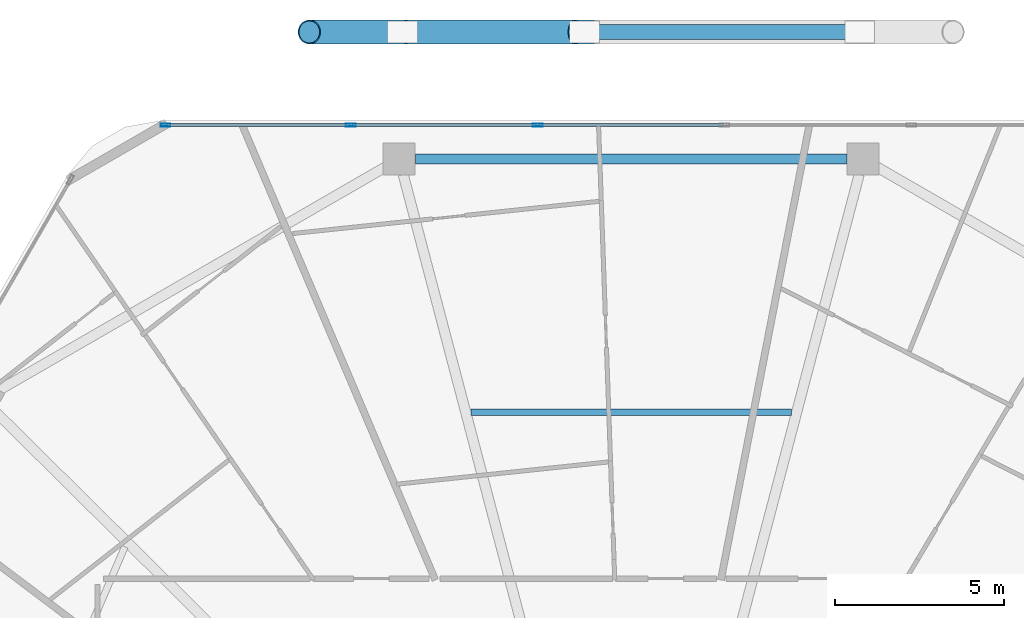
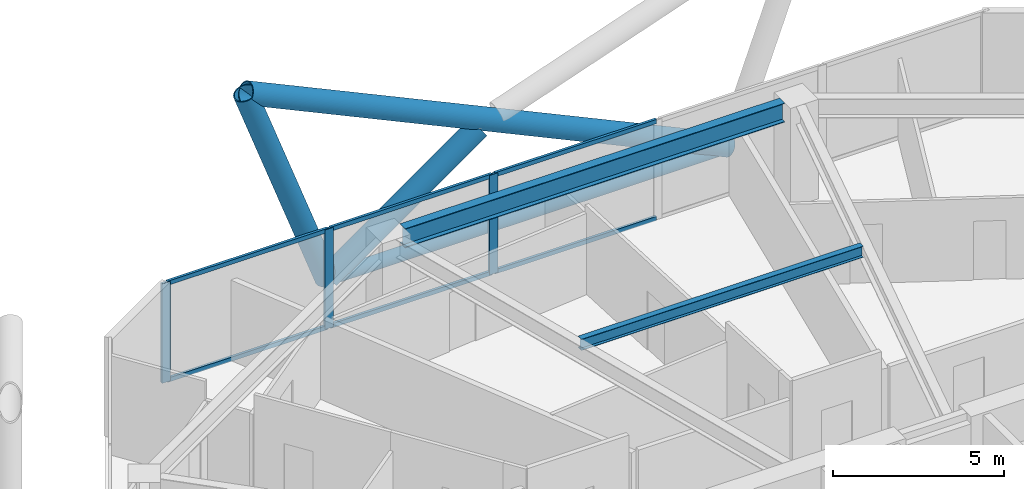
# One storey, part 14 of 27: 13 members, 2 beams, 1 element without a shape of its own.
"""IFC4 building model written with IfcOpenShell, lengths in metres."""

from ifc_helpers import new_model, si_unit, direction, frame, origin, origin_2d, place, context, subcontext, project, spatial, hollow_rectangle, hollow_circle, i_section, extrude, material, material_profile, profile_set, type_object, element, aggregate, save


model = new_model("IFC4")

# Units and contexts
model_context = context("Model", 3, precision=1e-05, world=origin(), true_north=direction((0.0, 1.0)))
body_context = subcontext(model_context, "Body", "Model", "MODEL_VIEW")
ifc_project = project(units=[si_unit("LENGTHUNIT", "METRE"), si_unit("AREAUNIT", "SQUARE_METRE"), si_unit("VOLUMEUNIT", "CUBIC_METRE"), si_unit("PLANEANGLEUNIT", "RADIAN"), si_unit("MASSUNIT", "GRAM", prefix="KILO")], contexts=[model_context])

# Site, building, storey
site_placement = place(None, origin())
site = spatial("IfcSite", under=ifc_project, at=site_placement, CompositionType="ELEMENT")
building_placement = place(site_placement, origin())
building = spatial("IfcBuilding", under=site, at=building_placement, Name="Zuhravey Tower", CompositionType="ELEMENT")
storey_placement = place(building_placement, frame((0.0, 0.0, 215.0)))
storey = spatial("IfcBuildingStorey", under=building, at=storey_placement, Name="L54", CompositionType="ELEMENT", Elevation=215.0)

# Curtain wall, members
ifc_material_1 = material(Name="Thermally broken anodised aluminium", Category="aluminium")
curtain_wall_type = type_object("IfcCurtainWallType", Name="Zone 1-2 Residential Curtain Wall CW3", PredefinedType="NOTDEFINED", material=ifc_material_1)
curtain_wall_placement = place(storey_placement, origin())
curtain_wall = element("IfcCurtainWall", 1, at=curtain_wall_placement, inside=storey, type_object=curtain_wall_type, Name="L54 CW3 CW-L54-F2-1", PredefinedType="NOTDEFINED")
ifc_material_2 = material(Name="Anodised aluminium", Category="aluminium")
ifc_material_profile_1 = material_profile(ifc_material_2, hollow_rectangle(XDim=0.090087890625, YDim=0.284912109375, WallThickness=0.0048828125, at=origin_2d()), Name="ALU-RHS-90x285x5")
ifc_profile_set_1 = profile_set([ifc_material_profile_1], Name="Anodised aluminium")
member_type_1 = type_object("IfcMemberType", Name="Curtain-Wall Mullion 90x180", PredefinedType="MULLION", material=ifc_profile_set_1)
member_1_placement = place(storey_placement, frame((22.183837890625, 59.18310546875, 0.0), z_axis=(0.0, 0.0, 1.0), x_axis=(0.0, 1.0, 0.0)))
member_1 = element("IfcMember", 2, at=member_1_placement, type_object=member_type_1, Name="CW3 mullion 1", PredefinedType="MULLION", context=body_context, shape_type="SweptSolid", body=[
    extrude(hollow_rectangle(XDim=0.090087890625, YDim=0.284912109375, WallThickness=0.0048828125, at=origin_2d()), origin(), (0.0, 0.0, 1.0), 3.550048828125),
])
member_2_placement = place(storey_placement, frame((27.683349609375, 59.18310546875, 0.0), z_axis=(0.0, 0.0, 1.0), x_axis=(0.0, 1.0, 0.0)))
member_2 = element("IfcMember", 3, at=member_2_placement, type_object=member_type_1, Name="CW3 mullion 2", PredefinedType="MULLION", context=body_context, shape_type="SweptSolid", body=[
    extrude(hollow_rectangle(XDim=0.090087890625, YDim=0.284912109375, WallThickness=0.0048828125, at=origin_2d()), origin(), (0.0, 0.0, 1.0), 3.550048828125),
])
member_3_placement = place(storey_placement, frame((33.227783203125, 59.18310546875, 0.0), z_axis=(0.0, 0.0, 1.0), x_axis=(0.0, 1.0, 0.0)))
member_3 = element("IfcMember", 4, at=member_3_placement, type_object=member_type_1, Name="CW3 mullion 3", PredefinedType="MULLION", context=body_context, shape_type="SweptSolid", body=[
    extrude(hollow_rectangle(XDim=0.090087890625, YDim=0.284912109375, WallThickness=0.0048828125, at=origin_2d()), origin(), (0.0, 0.0, 1.0), 3.550048828125),
])
ifc_material_profile_2 = material_profile(ifc_material_2, hollow_rectangle(XDim=0.090087890625, YDim=0.14990234375, WallThickness=0.0048828125, at=origin_2d()), Name="ALU-RHS-90x150x5")
ifc_profile_set_2 = profile_set([ifc_material_profile_2], Name="Anodised aluminium")
member_type_2 = type_object("IfcMemberType", Name="Curtain-Wall Transom 90x150", PredefinedType="USERDEFINED", material=ifc_profile_set_2)
member_4_placement = place(storey_placement, frame((22.22900390625, 59.18310546875, 0.044921875), z_axis=(1.0, 0.0, 0.0), x_axis=(0.0, 1.0, 0.0)))
member_4 = element("IfcMember", 5, at=member_4_placement, type_object=member_type_2, Name="CW3 transom 1.1", ObjectType="TRANSOM", PredefinedType="USERDEFINED", context=body_context, shape_type="SweptSolid", body=[
    extrude(hollow_rectangle(XDim=0.090087890625, YDim=0.14990234375, WallThickness=0.0048828125, at=origin_2d()), origin(), (0.0, 0.0, 1.0), 5.409423828125),
])
member_5_placement = place(storey_placement, frame((22.22900390625, 59.18310546875, 3.5048828125), z_axis=(1.0, 0.0, 0.0), x_axis=(0.0, 1.0, 0.0)))
member_5 = element("IfcMember", 6, at=member_5_placement, type_object=member_type_2, Name="CW3 transom 1.2", ObjectType="TRANSOM", PredefinedType="USERDEFINED", context=body_context, shape_type="SweptSolid", body=[
    extrude(hollow_rectangle(XDim=0.090087890625, YDim=0.14990234375, WallThickness=0.0048828125, at=origin_2d()), origin(), (0.0, 0.0, 1.0), 5.409423828125),
])
member_6_placement = place(storey_placement, frame((27.728271484375, 59.18310546875, 0.044921875), z_axis=(1.0, 0.0, 0.0), x_axis=(0.0, 1.0, 0.0)))
member_6 = element("IfcMember", 7, at=member_6_placement, type_object=member_type_2, Name="CW3 transom 2.1", ObjectType="TRANSOM", PredefinedType="USERDEFINED", context=body_context, shape_type="SweptSolid", body=[
    extrude(hollow_rectangle(XDim=0.090087890625, YDim=0.14990234375, WallThickness=0.0048828125, at=origin_2d()), origin(), (0.0, 0.0, 1.0), 5.45458984375),
])
member_7_placement = place(storey_placement, frame((27.728271484375, 59.18310546875, 3.5048828125), z_axis=(1.0, 0.0, 0.0), x_axis=(0.0, 1.0, 0.0)))
member_7 = element("IfcMember", 8, at=member_7_placement, type_object=member_type_2, Name="CW3 transom 2.2", ObjectType="TRANSOM", PredefinedType="USERDEFINED", context=body_context, shape_type="SweptSolid", body=[
    extrude(hollow_rectangle(XDim=0.090087890625, YDim=0.14990234375, WallThickness=0.0048828125, at=origin_2d()), origin(), (0.0, 0.0, 1.0), 5.45458984375),
])
member_8_placement = place(storey_placement, frame((33.272705078125, 59.18310546875, 0.044921875), z_axis=(1.0, 0.0, 0.0), x_axis=(0.0, 1.0, 0.0)))
member_8 = element("IfcMember", 9, at=member_8_placement, type_object=member_type_2, Name="CW3 transom 3.1", ObjectType="TRANSOM", PredefinedType="USERDEFINED", context=body_context, shape_type="SweptSolid", body=[
    extrude(hollow_rectangle(XDim=0.090087890625, YDim=0.14990234375, WallThickness=0.0048828125, at=origin_2d()), origin(), (0.0, 0.0, 1.0), 5.45458984375),
])
member_9_placement = place(storey_placement, frame((33.272705078125, 59.18310546875, 3.5048828125), z_axis=(1.0, 0.0, 0.0), x_axis=(0.0, 1.0, 0.0)))
member_9 = element("IfcMember", 10, at=member_9_placement, type_object=member_type_2, Name="CW3 transom 3.2", ObjectType="TRANSOM", PredefinedType="USERDEFINED", context=body_context, shape_type="SweptSolid", body=[
    extrude(hollow_rectangle(XDim=0.090087890625, YDim=0.14990234375, WallThickness=0.0048828125, at=origin_2d()), origin(), (0.0, 0.0, 1.0), 5.45458984375),
])
aggregate(curtain_wall, [member_1, member_2, member_3, member_4, member_5, member_6, member_7, member_8, member_9])

# Members
ifc_material_3 = material(Name="Steel SM355", Category="steel")
ifc_material_profile_3 = material_profile(ifc_material_3, hollow_circle(Radius=0.228515625, WallThickness=0.02197265625, at=origin_2d()), Name="CHS-457.2x22")
ifc_profile_set_3 = profile_set([ifc_material_profile_3], Name="Steel SM355")
member_type_3 = type_object("IfcMemberType", Name="Exoskeleton Ring Tie CHS457x22", PredefinedType="CHORD", material=ifc_profile_set_3)
member_10_placement = place(storey_placement, frame((42.64111328125, 61.943115234375, -0.464111328125), z_axis=(-1.0, 0.0, 0.0), x_axis=(0.0, -1.0, 0.0)))
element("IfcMember", 11, at=member_10_placement, inside=storey, type_object=member_type_3, Name="L54 Exoskeleton Face 2 Tie EXR1", PredefinedType="CHORD", context=body_context, shape_type="SweptSolid", body=[
    extrude(hollow_circle(Radius=0.228515625, WallThickness=0.02197265625, at=origin_2d()), origin(), (0.0, 0.0, 1.0), 13.2822265625),
])
ifc_material_4 = material(Name="Steel SM460", Category="steel")
ifc_material_profile_4 = material_profile(ifc_material_4, hollow_circle(Radius=0.355712890625, WallThickness=0.031982421875, at=origin_2d()), Name="CHS-711.2x32")
ifc_profile_set_4 = profile_set([ifc_material_profile_4], Name="Steel SM460")
member_type_4 = type_object("IfcMemberType", Name="Exoskeleton Zone 2 Diagrid CHS711x32", PredefinedType="BRACE", material=ifc_profile_set_4)
member_11_placement = place(storey_placement, frame((42.738037109375, 61.943115234375, -0.444091796875), z_axis=(-0.906680162882, 0.0, 0.421818778903), x_axis=(0.0, -1.0, 0.0)))
element("IfcMember", 12, at=member_11_placement, inside=storey, type_object=member_type_4, Name="L54 Face 2 Diagrid Brace 2", PredefinedType="BRACE", context=body_context, shape_type="SweptSolid", body=[
    extrude(hollow_circle(Radius=0.355712890625, WallThickness=0.031982421875, at=origin_2d()), origin(), (0.0, 0.0, 1.0), 17.922607421875),
])
member_12_placement = place(storey_placement, frame((29.211669921875, 61.943115234375, -0.444091796875), z_axis=(-0.342858392965, 0.0, 0.939387099323), x_axis=(0.0, -1.0, 0.0)))
element("IfcMember", 13, at=member_12_placement, inside=storey, type_object=member_type_4, Name="L54 Face 2 Diagrid Brace 4", PredefinedType="BRACE", context=body_context, shape_type="SweptSolid", body=[
    extrude(hollow_circle(Radius=0.355712890625, WallThickness=0.031982421875, at=origin_2d()), origin(), (0.0, 0.0, 1.0), 8.0478515625),
])
member_13_placement = place(storey_placement, frame((29.2578125, 61.943115234375, -0.436767578125), z_axis=(0.817501799386, 0.0, 0.575926043864), x_axis=(0.0, 1.0, 0.0)))
element("IfcMember", 14, at=member_13_placement, inside=storey, type_object=member_type_4, Name="L54 Face 2 Split Diagrid Brace 3A", PredefinedType="BRACE", context=body_context, shape_type="SweptSolid", body=[
    extrude(hollow_circle(Radius=0.355712890625, WallThickness=0.031982421875, at=origin_2d()), origin(), (0.0, 0.0, 1.0), 6.205078125),
])

# Beams
ifc_material_profile_5 = material_profile(ifc_material_3, i_section(OverallWidth=0.300048828125, OverallDepth=0.679931640625, WebThickness=0.012939453125, FlangeThickness=0.02197265625, at=origin_2d()), Name="H-680x300x13x22")
ifc_profile_set_5 = profile_set([ifc_material_profile_5], Name="Steel SM355")
beam_type_1 = type_object("IfcBeamType", Name="Perimeter Ring Beam H680x300", PredefinedType="BEAM", material=ifc_profile_set_5)
beam_1_placement = place(storey_placement, frame((42.404052734375, 58.173095703125, 3.2099609375), z_axis=(-1.0, 0.0, 0.0), x_axis=(0.0, -1.0, 0.0)))
element("IfcBeam", 15, at=beam_1_placement, inside=storey, type_object=beam_type_1, Name="L54 PB2 BM-L54-PB-03", PredefinedType="BEAM", context=body_context, shape_type="SweptSolid", body=[
    extrude(i_section(OverallWidth=0.300048828125, OverallDepth=0.679931640625, WebThickness=0.012939453125, FlangeThickness=0.02197265625, at=origin_2d()), origin(), (0.0, 0.0, 1.0), 12.80810546875),
])
ifc_material_profile_6 = material_profile(ifc_material_3, i_section(OverallWidth=0.199951171875, OverallDepth=0.39990234375, WebThickness=0.008056640625, FlangeThickness=0.012939453125, at=origin_2d()), Name="H-400x200x8x13")
ifc_profile_set_6 = profile_set([ifc_material_profile_6], Name="Steel SM355")
beam_type_2 = type_object("IfcBeamType", Name="Secondary Floor Joist H400x200", PredefinedType="JOIST", material=ifc_profile_set_6)
beam_2_placement = place(storey_placement, frame((40.754150390625, 50.665771484375, 3.35009765625), z_axis=(-1.0, 0.0, 0.0), x_axis=(0.0, -1.0, 0.0)))
element("IfcBeam", 16, at=beam_2_placement, inside=storey, type_object=beam_type_2, Name="L54 SJ2 BM-L54-SJ-03-1", PredefinedType="JOIST", context=body_context, shape_type="SweptSolid", body=[
    extrude(i_section(OverallWidth=0.199951171875, OverallDepth=0.39990234375, WebThickness=0.008056640625, FlangeThickness=0.012939453125, at=origin_2d()), origin(), (0.0, 0.0, 1.0), 9.50830078125),
])

save(model, "model.ifc")
